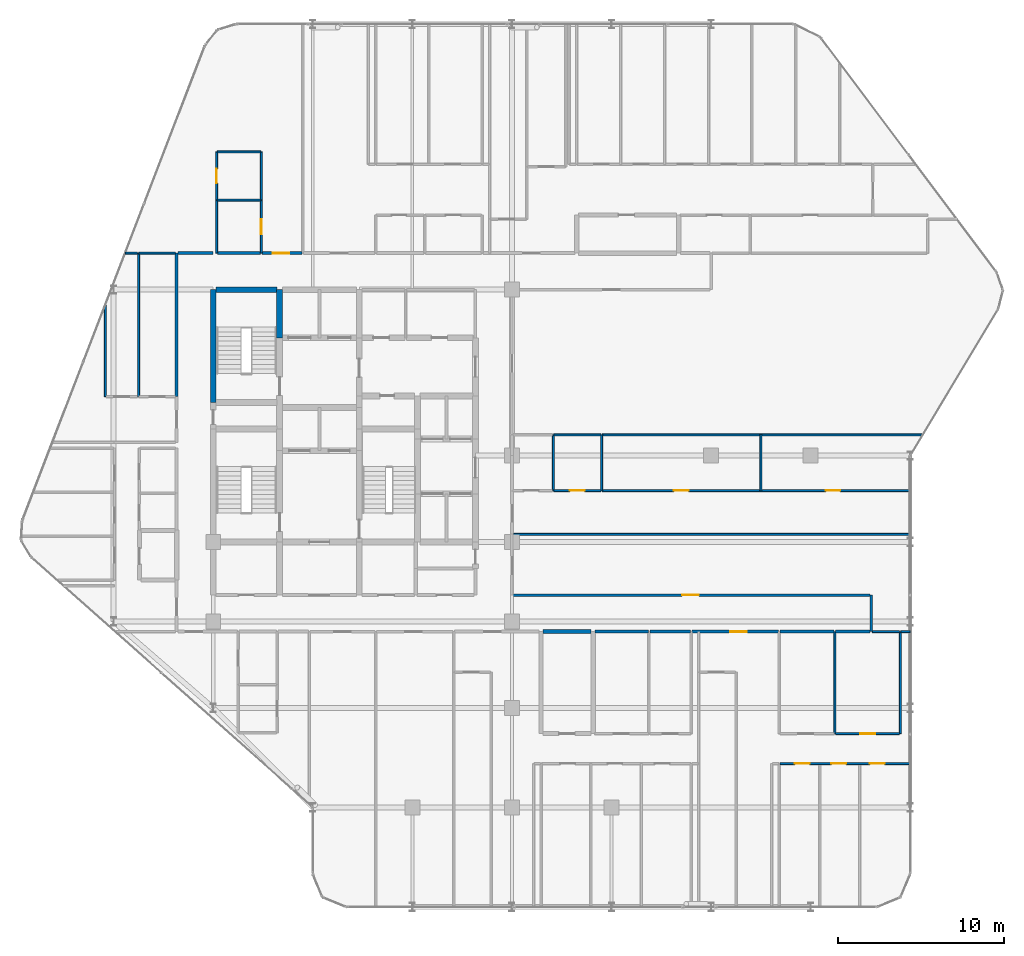
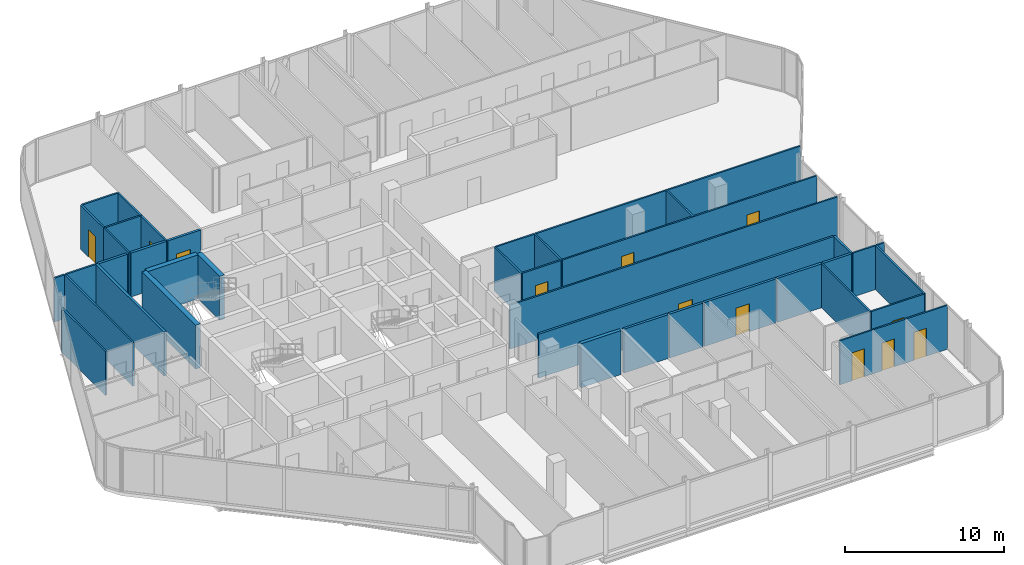
# One storey, part 28 of 32: 39 walls, 12 doors, 12 openings.
"""IFC4 building model written with IfcOpenShell, lengths in metres."""

from ifc_helpers import new_model, si_unit, direction, frame, frame_2d, origin, place, context, subcontext, project, spatial, rectangle, extrude, material, layer, layer_set, type_object, element, fill, save


model = new_model("IFC4")

# Units and contexts
model_context = context("Model", 3, precision=1e-05, world=origin(), true_north=direction((0.0, 1.0)))
body_context = subcontext(model_context, "Body", "Model", "MODEL_VIEW")
ifc_project = project(units=[si_unit("LENGTHUNIT", "METRE"), si_unit("AREAUNIT", "SQUARE_METRE"), si_unit("VOLUMEUNIT", "CUBIC_METRE"), si_unit("PLANEANGLEUNIT", "RADIAN"), si_unit("MASSUNIT", "GRAM", prefix="KILO")], contexts=[model_context])

# Site, building, storey
site_placement = place(None, origin())
site = spatial("IfcSite", under=ifc_project, at=site_placement, CompositionType="ELEMENT")
building_placement = place(site_placement, origin())
building = spatial("IfcBuilding", under=site, at=building_placement, Name="Keshet Zoharim Tower", CompositionType="ELEMENT")
storey_placement = place(building_placement, frame((0.0, 0.0, 137.199951171875)))
storey = spatial("IfcBuildingStorey", under=building, at=storey_placement, Name="L33", CompositionType="ELEMENT", Elevation=137.199951171875)

# Wall
ifc_material_1 = material(Name="Gypsum Plasterboard", Category="gypsum")
ifc_layer_1 = layer(ifc_material_1, 0.14990234375)
ifc_layer_set_1 = layer_set([ifc_layer_1], Name="Gypsum Plasterboard")
wall_type_1 = type_object("IfcWallType", Name="WL-CLIN-150", PredefinedType="STANDARD", material=ifc_layer_set_1)
wall_1_placement = place(storey_placement, frame((54.64990234375, 17.31005859375, 0.0), z_axis=(0.0, 0.0, 1.0), x_axis=(0.0, 1.0, 0.0)))
element("IfcWall", 1, at=wall_1_placement, inside=storey, type_object=wall_type_1, Name="L33 Interior Wall 112", PredefinedType="STANDARD", context=body_context, shape_type="SweptSolid", body=[
    extrude(rectangle(XDim=2.18994140625, YDim=0.14990234375, at=frame_2d((1.094970703125, 0.0))), origin(), (0.0, 0.0, 1.0), 3.385009765625),
])

# Wall, opening, door
wall_2_placement = place(storey_placement, frame((33.070068359375, 19.5, 0.0), z_axis=(0.0, 0.0, 1.0), x_axis=(1.0, 0.0, 0.0)))
wall_2 = element("IfcWall", 2, at=wall_2_placement, inside=storey, type_object=wall_type_1, Name="L33 Interior Wall 149", PredefinedType="STANDARD", context=body_context, shape_type="SweptSolid", body=[
    extrude(rectangle(XDim=21.510009765625, YDim=0.14990234375, at=frame_2d((10.7548828125, 0.0))), origin(), (0.0, 0.0, 1.0), 3.385009765625),
])
opening_1_placement = place(wall_2_placement, frame((10.18505859375, 0.0, 0.0)))
opening_1 = element("IfcOpeningElement", 3, at=opening_1_placement, cuts=wall_2, Name="Opening D-F310", PredefinedType="OPENING", context=body_context, shape_type="SweptSolid", body=[
    extrude(rectangle(XDim=1.0, YDim=2.14990234375, at=frame_2d((0.5, 1.074951171875))), frame((0.0, 0.0849609375, 0.0), z_axis=(0.0, -1.0, 0.0), x_axis=(1.0, 0.0, 0.0)), (0.0, 0.0, 1.0), 0.169921875),
])
ifc_material_2 = material(Name="Hardwood Timber", Category="wood")
door_type_1 = type_object("IfcDoorType", Name="DR-FD30-100", OperationType="NOTDEFINED", PredefinedType="DOOR", material=ifc_material_2)
door_1_placement = place(opening_1_placement, origin())
door_1 = element("IfcDoor", 4, at=door_1_placement, inside=storey, type_object=door_type_1, Name="L33 South East Residents Services Suite Door 1", OperationType="SINGLE_SWING_RIGHT", OverallHeight=2.14990234375, OverallWidth=1.0, PredefinedType="DOOR", context=body_context, shape_type="SweptSolid", body=[
    extrude(rectangle(XDim=1.0, YDim=2.14990234375, at=frame_2d((0.5, 1.074951171875))), frame((0.0, 0.02490234375, 0.0), z_axis=(0.0, -1.0, 0.0), x_axis=(1.0, 0.0, 0.0)), (0.0, 0.0, 1.0), 0.050048828125),
])
fill(opening_1, door_1)

# Walls
ifc_material_3 = material(Name="Concrete C60/75", Category="concrete")
ifc_layer_2 = layer(ifc_material_3, 0.35009765625)
ifc_layer_set_2 = layer_set([ifc_layer_2], Name="Concrete C60/75")
wall_type_2 = type_object("IfcWallType", Name="WL-CORE-350", PredefinedType="SHEAR", material=ifc_layer_set_2)
wall_3_placement = place(storey_placement, frame((15.0, 31.10009765625, 0.0), z_axis=(0.0, 0.0, 1.0), x_axis=(0.0, 1.0, 0.0)))
element("IfcWall", 5, at=wall_3_placement, inside=storey, type_object=wall_type_2, Name="L33 Core Shear Wall 016", PredefinedType="SHEAR", context=body_context, shape_type="SweptSolid", body=[
    extrude(rectangle(XDim=6.7998046875, YDim=0.35009765625, at=frame_2d((3.39990234375, 0.0))), origin(), (0.0, 0.0, 1.0), 3.385009765625),
])
wall_4_placement = place(storey_placement, frame((19.0, 35.0, 0.0), z_axis=(0.0, 0.0, 1.0), x_axis=(0.0, 1.0, 0.0)))
element("IfcWall", 6, at=wall_4_placement, inside=storey, type_object=wall_type_2, Name="L33 Core Shear Wall 029", PredefinedType="SHEAR", context=body_context, shape_type="SweptSolid", body=[
    extrude(rectangle(XDim=2.89990234375, YDim=0.35009765625, at=frame_2d((1.449951171875, 0.0))), origin(), (0.0, 0.0, 1.0), 3.385009765625),
])
wall_5_placement = place(storey_placement, frame((15.159912109375, 37.89990234375, 0.0), z_axis=(0.0, 0.0, 1.0), x_axis=(1.0, 0.0, 0.0)))
element("IfcWall", 7, at=wall_5_placement, inside=storey, type_object=wall_type_2, Name="L33 Core Shear Wall 187", PredefinedType="SHEAR", context=body_context, shape_type="SweptSolid", body=[
    extrude(rectangle(XDim=3.68017578125, YDim=0.35009765625, at=frame_2d((1.840087890625, 0.0))), origin(), (0.0, 0.0, 1.0), 3.385009765625),
])
ifc_layer_3 = layer(ifc_material_1, 0.179931640625)
ifc_layer_set_3 = layer_set([ifc_layer_3], Name="Gypsum Plasterboard")
wall_type_3 = type_object("IfcWallType", Name="WL-CORR-180", PredefinedType="STANDARD", material=ifc_layer_set_3)
wall_6_placement = place(storey_placement, frame((12.800048828125, 31.449951171875, 0.0), z_axis=(0.0, 0.0, 1.0), x_axis=(0.0, 1.0, 0.0)))
element("IfcWall", 8, at=wall_6_placement, inside=storey, type_object=wall_type_3, Name="L33 Interior Wall 012", PredefinedType="STANDARD", context=body_context, shape_type="SweptSolid", body=[
    extrude(rectangle(XDim=8.650146484375, YDim=0.179931640625, at=frame_2d((4.3251953125, 0.0))), origin(), (0.0, 0.0, 1.0), 3.385009765625),
])
wall_7_placement = place(storey_placement, frame((37.9951171875, 17.300048828125, 0.0), z_axis=(0.0, 0.0, 1.0), x_axis=(1.0, 0.0, 0.0)))
element("IfcWall", 9, at=wall_7_placement, inside=storey, type_object=wall_type_3, Name="L33 Interior Wall 138", PredefinedType="STANDARD", context=body_context, shape_type="SweptSolid", body=[
    extrude(rectangle(XDim=3.23291015625, YDim=0.179931640625, at=frame_2d((1.616455078125, 0.0))), origin(), (0.0, 0.0, 1.0), 3.385009765625),
])
wall_8_placement = place(storey_placement, frame((41.318115234375, 17.300048828125, 0.0), z_axis=(0.0, 0.0, 1.0), x_axis=(1.0, 0.0, 0.0)))
element("IfcWall", 10, at=wall_8_placement, inside=storey, type_object=wall_type_3, Name="L33 Interior Wall 139", PredefinedType="STANDARD", context=body_context, shape_type="SweptSolid", body=[
    extrude(rectangle(XDim=2.44677734375, YDim=0.179931640625, at=frame_2d((1.223388671875, 0.0))), origin(), (0.0, 0.0, 1.0), 3.385009765625),
])

# Wall, opening, door
wall_9_placement = place(storey_placement, frame((43.85498046875, 17.300048828125, 0.0), z_axis=(0.0, 0.0, 1.0), x_axis=(1.0, 0.0, 0.0)))
wall_9 = element("IfcWall", 11, at=wall_9_placement, inside=storey, type_object=wall_type_3, Name="L33 Interior Wall 140", PredefinedType="STANDARD", context=body_context, shape_type="SweptSolid", body=[
    extrude(rectangle(XDim=5.2099609375, YDim=0.179931640625, at=frame_2d((2.60498046875, 0.0))), origin(), (0.0, 0.0, 1.0), 3.385009765625),
])
opening_2_placement = place(wall_9_placement, frame((2.304931640625, 0.0, 0.0)))
opening_2 = element("IfcOpeningElement", 12, at=opening_2_placement, cuts=wall_9, Name="Opening D-F310", PredefinedType="OPENING", context=body_context, shape_type="SweptSolid", body=[
    extrude(rectangle(XDim=1.0, YDim=2.14990234375, at=frame_2d((0.5, 1.074951171875))), frame((0.0, 0.10009765625, 0.0), z_axis=(0.0, -1.0, 0.0), x_axis=(1.0, 0.0, 0.0)), (0.0, 0.0, 1.0), 0.199951171875),
])
door_2_placement = place(opening_2_placement, origin())
door_2 = element("IfcDoor", 13, at=door_2_placement, inside=storey, type_object=door_type_1, Name="Apartment 3303 Entrance Door", OperationType="SINGLE_SWING_LEFT", OverallHeight=2.14990234375, OverallWidth=1.0, PredefinedType="DOOR", context=body_context, shape_type="SweptSolid", body=[
    extrude(rectangle(XDim=1.0, YDim=2.14990234375, at=frame_2d((0.5, 1.074951171875))), frame((0.0, 0.02490234375, 0.0), z_axis=(0.0, -1.0, 0.0), x_axis=(1.0, 0.0, 0.0)), (0.0, 0.0, 1.0), 0.050048828125),
])
fill(opening_2, door_2)

# Walls
wall_10_placement = place(storey_placement, frame((49.155029296875, 17.300048828125, 0.0), z_axis=(0.0, 0.0, 1.0), x_axis=(1.0, 0.0, 0.0)))
element("IfcWall", 14, at=wall_10_placement, inside=storey, type_object=wall_type_3, Name="L33 Interior Wall 141", PredefinedType="STANDARD", context=body_context, shape_type="SweptSolid", body=[
    extrude(rectangle(XDim=3.259033203125, YDim=0.179931640625, at=frame_2d((1.62939453125, 0.0))), origin(), (0.0, 0.0, 1.0), 3.385009765625),
])
wall_11_placement = place(storey_placement, frame((52.50390625, 17.300048828125, 0.0), z_axis=(0.0, 0.0, 1.0), x_axis=(1.0, 0.0, 0.0)))
element("IfcWall", 15, at=wall_11_placement, inside=storey, type_object=wall_type_3, Name="L33 Interior Wall 142", PredefinedType="STANDARD", context=body_context, shape_type="SweptSolid", body=[
    extrude(rectangle(XDim=2.076171875, YDim=0.179931640625, at=frame_2d((1.0380859375, 0.0))), origin(), (0.0, 0.0, 1.0), 3.385009765625),
])
wall_12_placement = place(storey_placement, frame((12.875, 40.10009765625, 0.0), z_axis=(0.0, 0.0, 1.0), x_axis=(1.0, 0.0, 0.0)))
element("IfcWall", 16, at=wall_12_placement, inside=storey, type_object=wall_type_3, Name="L33 Interior Wall 194", PredefinedType="STANDARD", context=body_context, shape_type="SweptSolid", body=[
    extrude(rectangle(XDim=2.125, YDim=0.179931640625, at=frame_2d((1.0625, 0.0))), origin(), (0.0, 0.0, 1.0), 3.385009765625),
])
wall_13_placement = place(storey_placement, frame((15.2451171875, 40.10009765625, 0.0), z_axis=(0.0, 0.0, 1.0), x_axis=(1.0, 0.0, 0.0)))
element("IfcWall", 17, at=wall_13_placement, inside=storey, type_object=wall_type_3, Name="L33 Interior Wall 195", PredefinedType="STANDARD", context=body_context, shape_type="SweptSolid", body=[
    extrude(rectangle(XDim=2.60986328125, YDim=0.179931640625, at=frame_2d((1.304931640625, 0.0))), origin(), (0.0, 0.0, 1.0), 3.385009765625),
])

# Wall, opening, door
wall_14_placement = place(storey_placement, frame((17.945068359375, 40.10009765625, 0.0), z_axis=(0.0, 0.0, 1.0), x_axis=(1.0, 0.0, 0.0)))
wall_14 = element("IfcWall", 18, at=wall_14_placement, inside=storey, type_object=wall_type_3, Name="L33 Interior Wall 196", PredefinedType="STANDARD", context=body_context, shape_type="SweptSolid", body=[
    extrude(rectangle(XDim=2.409912109375, YDim=0.179931640625, at=frame_2d((1.205078125, 0.0))), origin(), (0.0, 0.0, 1.0), 3.385009765625),
])
opening_3_placement = place(wall_14_placement, frame((0.634033203125, 0.0, 0.0)))
opening_3 = element("IfcOpeningElement", 19, at=opening_3_placement, cuts=wall_14, Name="Opening D-F310", PredefinedType="OPENING", context=body_context, shape_type="SweptSolid", body=[
    extrude(rectangle(XDim=1.0, YDim=2.14990234375, at=frame_2d((0.5, 1.074951171875))), frame((0.0, 0.10009765625, 0.0), z_axis=(0.0, -1.0, 0.0), x_axis=(1.0, 0.0, 0.0)), (0.0, 0.0, 1.0), 0.199951171875),
])
door_3_placement = place(opening_3_placement, origin())
door_3 = element("IfcDoor", 20, at=door_3_placement, inside=storey, type_object=door_type_1, Name="Apartment 3304 Entrance Door", OperationType="SINGLE_SWING_RIGHT", OverallHeight=2.14990234375, OverallWidth=1.0, PredefinedType="DOOR", context=body_context, shape_type="SweptSolid", body=[
    extrude(rectangle(XDim=1.0, YDim=2.14990234375, at=frame_2d((0.5, 1.074951171875))), frame((0.0, 0.02490234375, 0.0), z_axis=(0.0, -1.0, 0.0), x_axis=(1.0, 0.0, 0.0)), (0.0, 0.0, 1.0), 0.050048828125),
])
fill(opening_3, door_3)

# Walls
ifc_material_4 = material(Name="Concrete C50/60", Category="concrete")
ifc_layer_4 = layer(ifc_material_4, 0.25)
ifc_layer_set_4 = layer_set([ifc_layer_4], Name="Concrete C50/60")
wall_type_4 = type_object("IfcWallType", Name="WL-MAMAD-250", PredefinedType="STANDARD", material=ifc_layer_set_4)
wall_15_placement = place(storey_placement, frame((34.860107421875, 17.300048828125, 0.0), z_axis=(0.0, 0.0, 1.0), x_axis=(1.0, 0.0, 0.0)))
element("IfcWall", 21, at=wall_15_placement, inside=storey, type_object=wall_type_4, Name="L33 Interior Wall 137", PredefinedType="STANDARD", context=body_context, shape_type="SweptSolid", body=[
    extrude(rectangle(XDim=2.914794921875, YDim=0.25, at=frame_2d((1.45751953125, 0.0))), origin(), (0.0, 0.0, 1.0), 3.385009765625),
])
ifc_layer_5 = layer(ifc_material_1, 0.1201171875)
ifc_layer_set_5 = layer_set([ifc_layer_5], Name="Gypsum Plasterboard")
wall_type_5 = type_object("IfcWallType", Name="WL-PART-120", PredefinedType="PARTITIONING", material=ifc_layer_set_5)
wall_16_placement = place(storey_placement, frame((8.5, 31.449951171875, 0.0), z_axis=(0.0, 0.0, 1.0), x_axis=(0.0, 1.0, 0.0)))
element("IfcWall", 22, at=wall_16_placement, inside=storey, type_object=wall_type_5, Name="L33 Interior Wall 001", PredefinedType="PARTITIONING", context=body_context, shape_type="SweptSolid", body=[
    extrude(rectangle(XDim=5.5400390625, YDim=0.1201171875, at=frame_2d((2.77001953125, 0.0))), origin(), (0.0, 0.0, 1.0), 3.385009765625),
])
wall_17_placement = place(storey_placement, frame((15.199951171875, 40.10009765625, 0.0), z_axis=(0.0, 0.0, 1.0), x_axis=(0.0, 1.0, 0.0)))
element("IfcWall", 23, at=wall_17_placement, inside=storey, type_object=wall_type_5, Name="L33 Interior Wall 017", PredefinedType="PARTITIONING", context=body_context, shape_type="SweptSolid", body=[
    extrude(rectangle(XDim=3.199951171875, YDim=0.1201171875, at=frame_2d((1.60009765625, 0.0))), origin(), (0.0, 0.0, 1.0), 3.385009765625),
])

# Wall, opening, door
wall_18_placement = place(storey_placement, frame((17.89990234375, 40.10009765625, 0.0), z_axis=(0.0, 0.0, 1.0), x_axis=(0.0, 1.0, 0.0)))
wall_18 = element("IfcWall", 24, at=wall_18_placement, inside=storey, type_object=wall_type_5, Name="L33 Interior Wall 021", PredefinedType="PARTITIONING", context=body_context, shape_type="SweptSolid", body=[
    extrude(rectangle(XDim=3.199951171875, YDim=0.1201171875, at=frame_2d((1.60009765625, 0.0))), origin(), (0.0, 0.0, 1.0), 3.385009765625),
])
opening_4_placement = place(wall_18_placement, frame((1.14990234375, 0.0, 0.0)))
opening_4 = element("IfcOpeningElement", 25, at=opening_4_placement, cuts=wall_18, Name="Opening D-IN90", PredefinedType="OPENING", context=body_context, shape_type="SweptSolid", body=[
    extrude(rectangle(XDim=0.89990234375, YDim=2.14990234375, at=frame_2d((0.449951171875, 1.074951171875))), frame((0.0, 0.070068359375, 0.0), z_axis=(0.0, -1.0, 0.0), x_axis=(1.0, 0.0, 0.0)), (0.0, 0.0, 1.0), 0.14013671875),
])
door_type_2 = type_object("IfcDoorType", Name="DR-INT-090", OperationType="NOTDEFINED", PredefinedType="DOOR", material=ifc_material_2)
door_4_placement = place(opening_4_placement, origin())
door_4 = element("IfcDoor", 26, at=door_4_placement, inside=storey, type_object=door_type_2, Name="Apartment 3304 Kitchenette Door", OperationType="SINGLE_SWING_LEFT", OverallHeight=2.14990234375, OverallWidth=0.89990234375, PredefinedType="DOOR", context=body_context, shape_type="SweptSolid", body=[
    extrude(rectangle(XDim=0.89990234375, YDim=2.14990234375, at=frame_2d((0.449951171875, 1.074951171875))), frame((0.0, 0.02490234375, 0.0), z_axis=(0.0, -1.0, 0.0), x_axis=(1.0, 0.0, 0.0)), (0.0, 0.0, 1.0), 0.050048828125),
])
fill(opening_4, door_4)

# Wall
wall_19_placement = place(storey_placement, frame((48.0, 25.780029296875, 0.0), z_axis=(0.0, 0.0, 1.0), x_axis=(0.0, 1.0, 0.0)))
element("IfcWall", 27, at=wall_19_placement, inside=storey, type_object=wall_type_5, Name="L33 Interior Wall 103", PredefinedType="PARTITIONING", context=body_context, shape_type="SweptSolid", body=[
    extrude(rectangle(XDim=3.3798828125, YDim=0.1201171875, at=frame_2d((1.68994140625, 0.0))), origin(), (0.0, 0.0, 1.0), 3.385009765625),
])

# Wall, openings, doors
wall_20_placement = place(storey_placement, frame((49.155029296875, 9.35009765625, 0.0), z_axis=(0.0, 0.0, 1.0), x_axis=(1.0, 0.0, 0.0)))
wall_20 = element("IfcWall", 28, at=wall_20_placement, inside=storey, type_object=wall_type_5, Name="L33 Interior Wall 120", PredefinedType="PARTITIONING", context=body_context, shape_type="SweptSolid", body=[
    extrude(rectangle(XDim=7.8349609375, YDim=0.1201171875, at=frame_2d((3.91748046875, 0.0))), origin(), (0.0, 0.0, 1.0), 3.385009765625),
])
opening_5_placement = place(wall_20_placement, frame((0.89306640625, 0.0, 0.0)))
opening_5 = element("IfcOpeningElement", 29, at=opening_5_placement, cuts=wall_20, Name="Opening D-IN90", PredefinedType="OPENING", context=body_context, shape_type="SweptSolid", body=[
    extrude(rectangle(XDim=0.89990234375, YDim=2.14990234375, at=frame_2d((0.449951171875, 1.074951171875))), frame((0.0, 0.070068359375, 0.0), z_axis=(0.0, -1.0, 0.0), x_axis=(1.0, 0.0, 0.0)), (0.0, 0.0, 1.0), 0.14013671875),
])
opening_6_placement = place(wall_20_placement, frame((3.072021484375, 0.0, 0.0)))
opening_6 = element("IfcOpeningElement", 30, at=opening_6_placement, cuts=wall_20, Name="Opening D-IN90", PredefinedType="OPENING", context=body_context, shape_type="SweptSolid", body=[
    extrude(rectangle(XDim=0.89990234375, YDim=2.14990234375, at=frame_2d((0.449951171875, 1.074951171875))), frame((0.0, 0.070068359375, 0.0), z_axis=(0.0, -1.0, 0.0), x_axis=(1.0, 0.0, 0.0)), (0.0, 0.0, 1.0), 0.14013671875),
])
opening_7_placement = place(wall_20_placement, frame((5.39697265625, 0.0, 0.0)))
opening_7 = element("IfcOpeningElement", 31, at=opening_7_placement, cuts=wall_20, Name="Opening D-IN90", PredefinedType="OPENING", context=body_context, shape_type="SweptSolid", body=[
    extrude(rectangle(XDim=0.89990234375, YDim=2.14990234375, at=frame_2d((0.449951171875, 1.074951171875))), frame((0.0, 0.070068359375, 0.0), z_axis=(0.0, -1.0, 0.0), x_axis=(1.0, 0.0, 0.0)), (0.0, 0.0, 1.0), 0.14013671875),
])
door_5_placement = place(opening_5_placement, origin())
door_5 = element("IfcDoor", 32, at=door_5_placement, inside=storey, type_object=door_type_2, Name="Apartment 3303 Bedroom 1 Door", OperationType="SINGLE_SWING_LEFT", OverallHeight=2.14990234375, OverallWidth=0.89990234375, PredefinedType="DOOR", context=body_context, shape_type="SweptSolid", body=[
    extrude(rectangle(XDim=0.89990234375, YDim=2.14990234375, at=frame_2d((0.449951171875, 1.074951171875))), frame((0.0, 0.02490234375, 0.0), z_axis=(0.0, -1.0, 0.0), x_axis=(1.0, 0.0, 0.0)), (0.0, 0.0, 1.0), 0.050048828125),
])
fill(opening_5, door_5)
door_6_placement = place(opening_6_placement, origin())
door_6 = element("IfcDoor", 33, at=door_6_placement, inside=storey, type_object=door_type_2, Name="Apartment 3303 Bedroom 2 Door", OperationType="SINGLE_SWING_RIGHT", OverallHeight=2.14990234375, OverallWidth=0.89990234375, PredefinedType="DOOR", context=body_context, shape_type="SweptSolid", body=[
    extrude(rectangle(XDim=0.89990234375, YDim=2.14990234375, at=frame_2d((0.449951171875, 1.074951171875))), frame((0.0, 0.02490234375, 0.0), z_axis=(0.0, -1.0, 0.0), x_axis=(1.0, 0.0, 0.0)), (0.0, 0.0, 1.0), 0.050048828125),
])
fill(opening_6, door_6)
door_7_placement = place(opening_7_placement, origin())
door_7 = element("IfcDoor", 34, at=door_7_placement, inside=storey, type_object=door_type_2, Name="Apartment 3303 Bedroom 3 Door", OperationType="SINGLE_SWING_LEFT", OverallHeight=2.14990234375, OverallWidth=0.89990234375, PredefinedType="DOOR", context=body_context, shape_type="SweptSolid", body=[
    extrude(rectangle(XDim=0.89990234375, YDim=2.14990234375, at=frame_2d((0.449951171875, 1.074951171875))), frame((0.0, 0.02490234375, 0.0), z_axis=(0.0, -1.0, 0.0), x_axis=(1.0, 0.0, 0.0)), (0.0, 0.0, 1.0), 0.050048828125),
])
fill(opening_7, door_7)

# Walls
wall_21_placement = place(storey_placement, frame((56.43505859375, 17.300048828125, 0.0), z_axis=(0.0, 0.0, 1.0), x_axis=(1.0, 0.0, 0.0)))
element("IfcWall", 35, at=wall_21_placement, inside=storey, type_object=wall_type_5, Name="L33 Interior Wall 144", PredefinedType="PARTITIONING", context=body_context, shape_type="SweptSolid", body=[
    extrude(rectangle(XDim=0.554931640625, YDim=0.1201171875, at=frame_2d((0.27734375, 0.0))), origin(), (0.0, 0.0, 1.0), 3.385009765625),
])
wall_22_placement = place(storey_placement, frame((33.0849609375, 23.14990234375, 0.0), z_axis=(0.0, 0.0, 1.0), x_axis=(1.0, 0.0, 0.0)))
element("IfcWall", 36, at=wall_22_placement, inside=storey, type_object=wall_type_5, Name="L33 Interior Wall 159", PredefinedType="PARTITIONING", context=body_context, shape_type="SweptSolid", body=[
    extrude(rectangle(XDim=23.905029296875, YDim=0.1201171875, at=frame_2d((11.95263671875, 0.0))), origin(), (0.0, 0.0, 1.0), 3.385009765625),
])

# Wall, openings, doors
wall_23_placement = place(storey_placement, frame((38.445068359375, 25.800048828125, 0.0), z_axis=(0.0, 0.0, 1.0), x_axis=(1.0, 0.0, 0.0)))
wall_23 = element("IfcWall", 37, at=wall_23_placement, inside=storey, type_object=wall_type_5, Name="L33 Interior Wall 166", PredefinedType="PARTITIONING", context=body_context, shape_type="SweptSolid", body=[
    extrude(rectangle(XDim=18.544921875, YDim=0.1201171875, at=frame_2d((9.2724609375, 0.0))), origin(), (0.0, 0.0, 1.0), 3.385009765625),
])
opening_8_placement = place(wall_23_placement, frame((4.301025390625, 0.0, 0.0)))
opening_8 = element("IfcOpeningElement", 38, at=opening_8_placement, cuts=wall_23, Name="Opening D-IN90", PredefinedType="OPENING", context=body_context, shape_type="SweptSolid", body=[
    extrude(rectangle(XDim=0.89990234375, YDim=2.14990234375, at=frame_2d((0.449951171875, 1.074951171875))), frame((0.0, 0.070068359375, 0.0), z_axis=(0.0, -1.0, 0.0), x_axis=(1.0, 0.0, 0.0)), (0.0, 0.0, 1.0), 0.14013671875),
])
opening_9_placement = place(wall_23_placement, frame((13.447021484375, 0.0, 0.0)))
opening_9 = element("IfcOpeningElement", 39, at=opening_9_placement, cuts=wall_23, Name="Opening D-IN90", PredefinedType="OPENING", context=body_context, shape_type="SweptSolid", body=[
    extrude(rectangle(XDim=0.89990234375, YDim=2.14990234375, at=frame_2d((0.449951171875, 1.074951171875))), frame((0.0, 0.070068359375, 0.0), z_axis=(0.0, -1.0, 0.0), x_axis=(1.0, 0.0, 0.0)), (0.0, 0.0, 1.0), 0.14013671875),
])
door_8_placement = place(opening_8_placement, origin())
door_8 = element("IfcDoor", 40, at=door_8_placement, inside=storey, type_object=door_type_2, Name="Apartment 3309 Bedroom 1 Door", OperationType="SINGLE_SWING_RIGHT", OverallHeight=2.14990234375, OverallWidth=0.89990234375, PredefinedType="DOOR", context=body_context, shape_type="SweptSolid", body=[
    extrude(rectangle(XDim=0.89990234375, YDim=2.14990234375, at=frame_2d((0.449951171875, 1.074951171875))), frame((0.0, 0.02490234375, 0.0), z_axis=(0.0, -1.0, 0.0), x_axis=(1.0, 0.0, 0.0)), (0.0, 0.0, 1.0), 0.050048828125),
])
fill(opening_8, door_8)
door_9_placement = place(opening_9_placement, origin())
door_9 = element("IfcDoor", 41, at=door_9_placement, inside=storey, type_object=door_type_2, Name="Apartment 3309 Bedroom 2 Door", OperationType="SINGLE_SWING_LEFT", OverallHeight=2.14990234375, OverallWidth=0.89990234375, PredefinedType="DOOR", context=body_context, shape_type="SweptSolid", body=[
    extrude(rectangle(XDim=0.89990234375, YDim=2.14990234375, at=frame_2d((0.449951171875, 1.074951171875))), frame((0.0, 0.02490234375, 0.0), z_axis=(0.0, -1.0, 0.0), x_axis=(1.0, 0.0, 0.0)), (0.0, 0.0, 1.0), 0.050048828125),
])
fill(opening_9, door_9)

# Walls
wall_24_placement = place(storey_placement, frame((38.445068359375, 29.14990234375, 0.0), z_axis=(0.0, 0.0, 1.0), x_axis=(1.0, 0.0, 0.0)))
element("IfcWall", 42, at=wall_24_placement, inside=storey, type_object=wall_type_5, Name="L33 Interior Wall 175", PredefinedType="PARTITIONING", context=body_context, shape_type="SweptSolid", body=[
    extrude(rectangle(XDim=19.294921875, YDim=0.1201171875, at=frame_2d((9.6474609375, 0.0))), origin(), (0.0, 0.0, 1.0), 3.385009765625),
])
wall_25_placement = place(storey_placement, frame((9.701904296875, 40.10009765625, 0.0), z_axis=(0.0, 0.0, 1.0), x_axis=(1.0, 0.0, 0.0)))
element("IfcWall", 43, at=wall_25_placement, inside=storey, type_object=wall_type_5, Name="L33 Interior Wall 192", PredefinedType="PARTITIONING", context=body_context, shape_type="SweptSolid", body=[
    extrude(rectangle(XDim=0.731201171875, YDim=0.1201171875, at=frame_2d((0.36572265625, 0.0))), origin(), (0.0, 0.0, 1.0), 3.385009765625),
])
ifc_layer_6 = layer(ifc_material_1, 0.1201171875)
ifc_layer_set_6 = layer_set([ifc_layer_6], Name="Gypsum Plasterboard")
wall_type_6 = type_object("IfcWallType", Name="WL-WET-120", PredefinedType="PARTITIONING", material=ifc_layer_set_6)
wall_26_placement = place(storey_placement, frame((10.5, 31.449951171875, 0.0), z_axis=(0.0, 0.0, 1.0), x_axis=(0.0, 1.0, 0.0)))
element("IfcWall", 44, at=wall_26_placement, inside=storey, type_object=wall_type_6, Name="L33 Interior Wall 003", PredefinedType="PARTITIONING", context=body_context, shape_type="SweptSolid", body=[
    extrude(rectangle(XDim=8.650146484375, YDim=0.1201171875, at=frame_2d((4.3251953125, 0.0))), origin(), (0.0, 0.0, 1.0), 3.385009765625),
])

# Wall, opening, door
wall_27_placement = place(storey_placement, frame((15.199951171875, 43.300048828125, 0.0), z_axis=(0.0, 0.0, 1.0), x_axis=(0.0, 1.0, 0.0)))
wall_27 = element("IfcWall", 45, at=wall_27_placement, inside=storey, type_object=wall_type_6, Name="L33 Interior Wall 018", PredefinedType="PARTITIONING", context=body_context, shape_type="SweptSolid", body=[
    extrude(rectangle(XDim=2.89990234375, YDim=0.1201171875, at=frame_2d((1.449951171875, 0.0))), origin(), (0.0, 0.0, 1.0), 3.385009765625),
])
opening_10_placement = place(wall_27_placement, frame((1.0, 0.0, 0.0)))
opening_10 = element("IfcOpeningElement", 46, at=opening_10_placement, cuts=wall_27, Name="Opening D-WT90", PredefinedType="OPENING", context=body_context, shape_type="SweptSolid", body=[
    extrude(rectangle(XDim=0.89990234375, YDim=2.10009765625, at=frame_2d((0.449951171875, 1.050048828125))), frame((0.0, 0.070068359375, 0.0), z_axis=(0.0, -1.0, 0.0), x_axis=(1.0, 0.0, 0.0)), (0.0, 0.0, 1.0), 0.14013671875),
])
door_type_3 = type_object("IfcDoorType", Name="DR-WET-090", OperationType="NOTDEFINED", PredefinedType="DOOR", material=ifc_material_2)
door_10_placement = place(opening_10_placement, origin())
door_10 = element("IfcDoor", 47, at=door_10_placement, inside=storey, type_object=door_type_3, Name="Apartment 3304 Bathroom Door", OperationType="SINGLE_SWING_LEFT", OverallHeight=2.10009765625, OverallWidth=0.89990234375, PredefinedType="DOOR", context=body_context, shape_type="SweptSolid", body=[
    extrude(rectangle(XDim=0.89990234375, YDim=2.10009765625, at=frame_2d((0.449951171875, 1.050048828125))), frame((0.0, 0.02490234375, 0.0), z_axis=(0.0, -1.0, 0.0), x_axis=(1.0, 0.0, 0.0)), (0.0, 0.0, 1.0), 0.050048828125),
])
fill(opening_10, door_10)

# Walls
wall_28_placement = place(storey_placement, frame((17.89990234375, 43.300048828125, 0.0), z_axis=(0.0, 0.0, 1.0), x_axis=(0.0, 1.0, 0.0)))
element("IfcWall", 48, at=wall_28_placement, inside=storey, type_object=wall_type_6, Name="L33 Interior Wall 022", PredefinedType="PARTITIONING", context=body_context, shape_type="SweptSolid", body=[
    extrude(rectangle(XDim=2.89990234375, YDim=0.1201171875, at=frame_2d((1.449951171875, 0.0))), origin(), (0.0, 0.0, 1.0), 3.385009765625),
])
for number, where, z_axis, x_axis, name in (
    (49, (35.5, 25.780029296875, 0.0), (0.0, 0.0, 1.0), (0.0, 1.0, 0.0), "L33 Interior Wall 080"),
    (50, (38.39990234375, 25.780029296875, 0.0), (0.0, 0.0, 1.0), (0.0, 1.0, 0.0), "L33 Interior Wall 087"),
):
    element("IfcWall", number, at=place(storey_placement, frame(where, z_axis=z_axis, x_axis=x_axis)), inside=storey, type_object=wall_type_6, Name=name, PredefinedType="PARTITIONING", context=body_context, shape_type="SweptSolid", body=[
        extrude(rectangle(XDim=3.3798828125, YDim=0.1201171875, at=frame_2d((1.68994140625, 0.0))), origin(), (0.0, 0.0, 1.0), 3.385009765625),
    ])
for number, where, z_axis, x_axis, name in (
    (51, (52.449951171875, 11.14990234375, 0.0), (0.0, 0.0, 1.0), (0.0, 1.0, 0.0), "L33 Interior Wall 109"),
    (52, (56.39990234375, 11.14990234375, 0.0), (0.0, 0.0, 1.0), (0.0, 1.0, 0.0), "L33 Interior Wall 114"),
):
    element("IfcWall", number, at=place(storey_placement, frame(where, z_axis=z_axis, x_axis=x_axis)), inside=storey, type_object=wall_type_6, Name=name, PredefinedType="PARTITIONING", context=body_context, shape_type="SweptSolid", body=[
        extrude(rectangle(XDim=6.150146484375, YDim=0.1201171875, at=frame_2d((3.0751953125, 0.0))), origin(), (0.0, 0.0, 1.0), 3.385009765625),
    ])

# Wall, opening, door
wall_29_placement = place(storey_placement, frame((52.50390625, 11.14990234375, 0.0), z_axis=(0.0, 0.0, 1.0), x_axis=(1.0, 0.0, 0.0)))
wall_29 = element("IfcWall", 53, at=wall_29_placement, inside=storey, type_object=wall_type_6, Name="L33 Interior Wall 125", PredefinedType="PARTITIONING", context=body_context, shape_type="SweptSolid", body=[
    extrude(rectangle(XDim=3.841064453125, YDim=0.1201171875, at=frame_2d((1.92041015625, 0.0))), origin(), (0.0, 0.0, 1.0), 3.385009765625),
])
opening_11_placement = place(wall_29_placement, frame((1.470947265625, 0.0, 0.0)))
opening_11 = element("IfcOpeningElement", 54, at=opening_11_placement, cuts=wall_29, Name="Opening D-WT90", PredefinedType="OPENING", context=body_context, shape_type="SweptSolid", body=[
    extrude(rectangle(XDim=0.89990234375, YDim=2.10009765625, at=frame_2d((0.449951171875, 1.050048828125))), frame((0.0, 0.070068359375, 0.0), z_axis=(0.0, -1.0, 0.0), x_axis=(1.0, 0.0, 0.0)), (0.0, 0.0, 1.0), 0.14013671875),
])
door_11_placement = place(opening_11_placement, origin())
door_11 = element("IfcDoor", 55, at=door_11_placement, inside=storey, type_object=door_type_3, Name="Apartment 3303 Bathroom Door", OperationType="SINGLE_SWING_RIGHT", OverallHeight=2.10009765625, OverallWidth=0.89990234375, PredefinedType="DOOR", context=body_context, shape_type="SweptSolid", body=[
    extrude(rectangle(XDim=0.89990234375, YDim=2.10009765625, at=frame_2d((0.449951171875, 1.050048828125))), frame((0.0, 0.02490234375, 0.0), z_axis=(0.0, -1.0, 0.0), x_axis=(1.0, 0.0, 0.0)), (0.0, 0.0, 1.0), 0.050048828125),
])
fill(opening_11, door_11)

# Wall
wall_30_placement = place(storey_placement, frame((54.7099609375, 17.300048828125, 0.0), z_axis=(0.0, 0.0, 1.0), x_axis=(1.0, 0.0, 0.0)))
element("IfcWall", 56, at=wall_30_placement, inside=storey, type_object=wall_type_6, Name="L33 Interior Wall 143", PredefinedType="PARTITIONING", context=body_context, shape_type="SweptSolid", body=[
    extrude(rectangle(XDim=1.635009765625, YDim=0.1201171875, at=frame_2d((0.8173828125, 0.0))), origin(), (0.0, 0.0, 1.0), 3.385009765625),
])

# Wall, opening, door
wall_31_placement = place(storey_placement, frame((35.529052734375, 25.800048828125, 0.0), z_axis=(0.0, 0.0, 1.0), x_axis=(1.0, 0.0, 0.0)))
wall_31 = element("IfcWall", 57, at=wall_31_placement, inside=storey, type_object=wall_type_6, Name="L33 Interior Wall 165", PredefinedType="PARTITIONING", context=body_context, shape_type="SweptSolid", body=[
    extrude(rectangle(XDim=2.825927734375, YDim=0.1201171875, at=frame_2d((1.4130859375, 0.0))), origin(), (0.0, 0.0, 1.0), 3.385009765625),
])
opening_12_placement = place(wall_31_placement, frame((0.962890625, 0.0, 0.0)))
opening_12 = element("IfcOpeningElement", 58, at=opening_12_placement, cuts=wall_31, Name="Opening D-WT90", PredefinedType="OPENING", context=body_context, shape_type="SweptSolid", body=[
    extrude(rectangle(XDim=0.89990234375, YDim=2.10009765625, at=frame_2d((0.449951171875, 1.050048828125))), frame((0.0, 0.070068359375, 0.0), z_axis=(0.0, -1.0, 0.0), x_axis=(1.0, 0.0, 0.0)), (0.0, 0.0, 1.0), 0.14013671875),
])
door_12_placement = place(opening_12_placement, origin())
door_12 = element("IfcDoor", 59, at=door_12_placement, inside=storey, type_object=door_type_3, Name="Apartment 3309 Bathroom Door", OperationType="SINGLE_SWING_LEFT", OverallHeight=2.10009765625, OverallWidth=0.89990234375, PredefinedType="DOOR", context=body_context, shape_type="SweptSolid", body=[
    extrude(rectangle(XDim=0.89990234375, YDim=2.10009765625, at=frame_2d((0.449951171875, 1.050048828125))), frame((0.0, 0.02490234375, 0.0), z_axis=(0.0, -1.0, 0.0), x_axis=(1.0, 0.0, 0.0)), (0.0, 0.0, 1.0), 0.050048828125),
])
fill(opening_12, door_12)

# Walls
wall_32_placement = place(storey_placement, frame((35.529052734375, 29.14990234375, 0.0), z_axis=(0.0, 0.0, 1.0), x_axis=(1.0, 0.0, 0.0)))
element("IfcWall", 60, at=wall_32_placement, inside=storey, type_object=wall_type_6, Name="L33 Interior Wall 174", PredefinedType="PARTITIONING", context=body_context, shape_type="SweptSolid", body=[
    extrude(rectangle(XDim=2.825927734375, YDim=0.1201171875, at=frame_2d((1.4130859375, 0.0))), origin(), (0.0, 0.0, 1.0), 3.385009765625),
])
wall_33_placement = place(storey_placement, frame((10.52294921875, 40.10009765625, 0.0), z_axis=(0.0, 0.0, 1.0), x_axis=(1.0, 0.0, 0.0)))
element("IfcWall", 61, at=wall_33_placement, inside=storey, type_object=wall_type_6, Name="L33 Interior Wall 193", PredefinedType="PARTITIONING", context=body_context, shape_type="SweptSolid", body=[
    extrude(rectangle(XDim=2.2021484375, YDim=0.1201171875, at=frame_2d((1.10107421875, 0.0))), origin(), (0.0, 0.0, 1.0), 3.385009765625),
])
for number, where, z_axis, x_axis, name in (
    (62, (15.2451171875, 43.300048828125, 0.0), (0.0, 0.0, 1.0), (1.0, 0.0, 0.0), "L33 Interior Wall 213"),
    (63, (15.2451171875, 46.199951171875, 0.0), (0.0, 0.0, 1.0), (1.0, 0.0, 0.0), "L33 Interior Wall 221"),
):
    element("IfcWall", number, at=place(storey_placement, frame(where, z_axis=z_axis, x_axis=x_axis)), inside=storey, type_object=wall_type_6, Name=name, PredefinedType="PARTITIONING", context=body_context, shape_type="SweptSolid", body=[
        extrude(rectangle(XDim=2.60986328125, YDim=0.1201171875, at=frame_2d((1.304931640625, 0.0))), origin(), (0.0, 0.0, 1.0), 3.385009765625),
    ])

save(model, "model.ifc")
